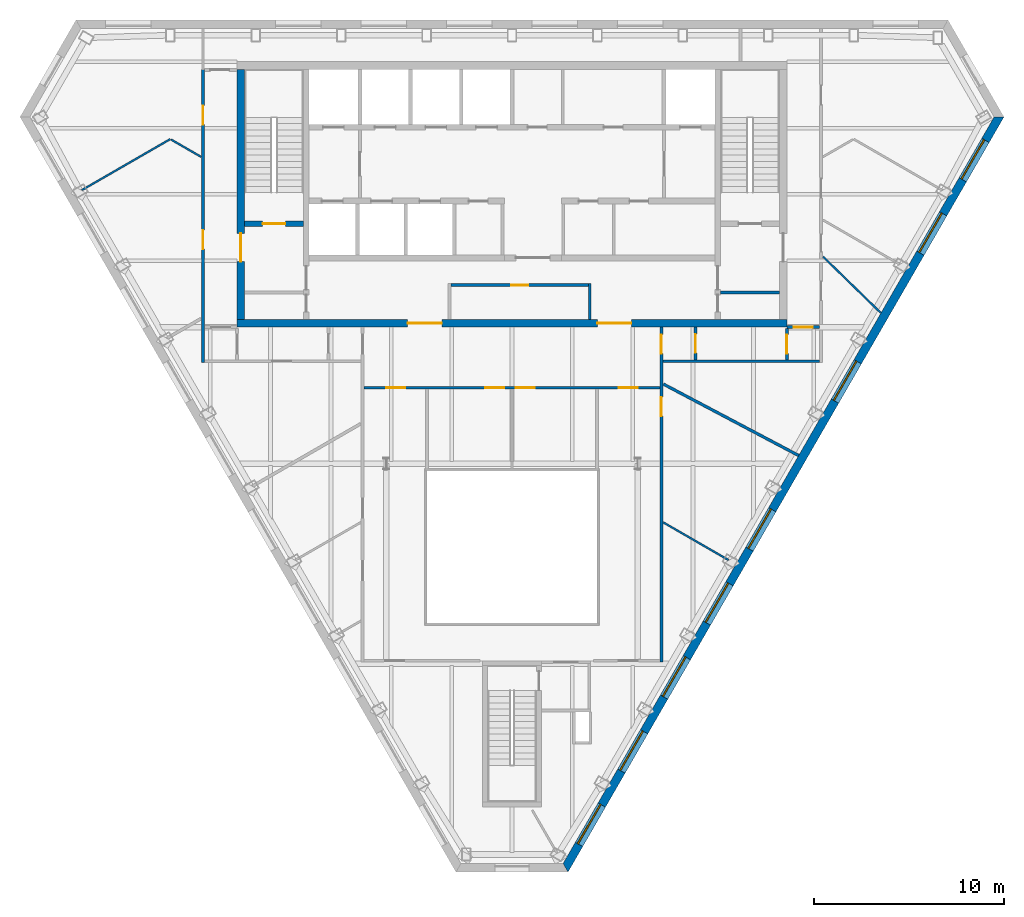
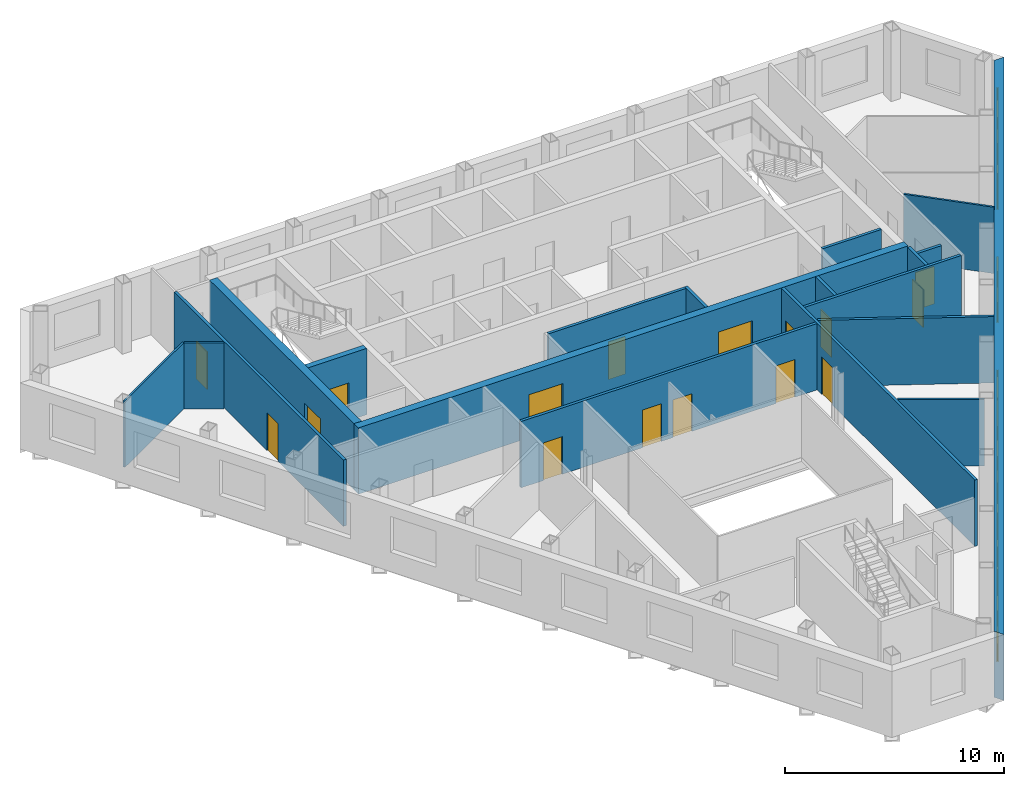
# One storey, part 5 of 10: 19 walls, 16 doors, 8 windows, 24 openings.
"""IFC4 building model written with IfcOpenShell, lengths in metres."""

from ifc_helpers import new_model, si_unit, direction, frame, frame_2d, origin, place, context, subcontext, project, spatial, polyline, rectangle, outline, extrude, material, layer, layer_set, type_object, element, fill, save


model = new_model("IFC4")

# Units and contexts
model_context = context("Model", 3, precision=1e-05, world=origin(), true_north=direction((0.0, 1.0)))
body_context = subcontext(model_context, "Body", "Model", "MODEL_VIEW")
ifc_project = project(units=[si_unit("LENGTHUNIT", "METRE"), si_unit("AREAUNIT", "SQUARE_METRE"), si_unit("VOLUMEUNIT", "CUBIC_METRE"), si_unit("PLANEANGLEUNIT", "RADIAN"), si_unit("MASSUNIT", "GRAM", prefix="KILO")], contexts=[model_context])

# Site, building, storey
site_placement = place(None, origin())
site = spatial("IfcSite", under=ifc_project, at=site_placement, CompositionType="ELEMENT")
building_placement = place(site_placement, origin())
building = spatial("IfcBuilding", under=site, at=building_placement, Name="Njiva Tower", CompositionType="ELEMENT")
storey_placement = place(building_placement, frame((0.0, 0.0, 257.1)))
storey = spatial("IfcBuildingStorey", under=building, at=storey_placement, Name="L58", CompositionType="ELEMENT", Elevation=257.1)

# Walls
ifc_material_1 = material(Name="Blockwork", Category="masonry")
ifc_layer_1 = layer(ifc_material_1, 0.15)
ifc_layer_set_1 = layer_set([ifc_layer_1], Name="Blockwork")
wall_type_1 = type_object("IfcWallType", Name="WT1 Compartment partition 150", PredefinedType="PARTITIONING", material=ifc_layer_set_1)
wall_1_placement = place(storey_placement, frame((11.0, 5.825, 0.0), z_axis=(0.0, 0.0, 1.0), x_axis=(1.0, 0.0, 0.0)))
element("IfcWall", 1, at=wall_1_placement, inside=storey, type_object=wall_type_1, Name="Room wall B", PredefinedType="PARTITIONING", context=body_context, shape_type="SweptSolid", body=[
    extrude(rectangle(XDim=3.1, YDim=0.15, at=frame_2d((1.55, 0.0))), origin(), (0.0, 0.0, 1.0), 3.7),
])
wall_2_placement = place(storey_placement, frame((4.1, 4.4, 0.0), z_axis=(0.0, 0.0, 1.0), x_axis=(0.0, 1.0, 0.0)))
element("IfcWall", 2, at=wall_2_placement, inside=storey, type_object=wall_type_1, Name="Concierge office wall east", PredefinedType="PARTITIONING", context=body_context, shape_type="SweptSolid", body=[
    extrude(rectangle(XDim=1.895, YDim=0.15, at=frame_2d((0.9475, 0.0))), origin(), (0.0, 0.0, 1.0), 3.7),
])

# Wall, opening, door
wall_3_placement = place(storey_placement, frame((-3.225, 6.22, 0.0), z_axis=(0.0, 0.0, 1.0), x_axis=(1.0, 0.0, 0.0)))
wall_3 = element("IfcWall", 3, at=wall_3_placement, inside=storey, type_object=wall_type_1, Name="Concierge office wall north", PredefinedType="PARTITIONING", context=body_context, shape_type="SweptSolid", body=[
    extrude(rectangle(XDim=7.25, YDim=0.15, at=frame_2d((3.625, 0.0))), origin(), (0.0, 0.0, 1.0), 3.7),
])
opening_1_placement = place(wall_3_placement, frame((3.175, 0.0, 0.0)))
opening_1 = element("IfcOpeningElement", 4, at=opening_1_placement, cuts=wall_3, Name="Opening S19-D924", PredefinedType="OPENING", context=body_context, shape_type="SweptSolid", body=[
    extrude(rectangle(XDim=0.9, YDim=2.1, at=frame_2d((0.45, 1.05))), frame((0.0, 0.085, 0.0), z_axis=(0.0, -1.0, 0.0), x_axis=(1.0, 0.0, 0.0)), (0.0, 0.0, 1.0), 0.17),
])
ifc_material_2 = material(Name="Steel fire door, painted", Category="steel")
door_type_1 = type_object("IfcDoorType", Name="D6 Fire-rated door 900x2100", OperationType="SINGLE_SWING_LEFT", PredefinedType="DOOR", material=ifc_material_2)
door_1_placement = place(opening_1_placement, origin())
door_1 = element("IfcDoor", 5, at=door_1_placement, inside=storey, type_object=door_type_1, Name="Concierge office door", OperationType="SINGLE_SWING_LEFT", OverallHeight=2.1, OverallWidth=0.9, PredefinedType="DOOR", context=body_context, shape_type="SweptSolid", body=[
    extrude(rectangle(XDim=0.9, YDim=2.1, at=frame_2d((0.45, 1.05))), frame((0.0, 0.025, 0.0), z_axis=(0.0, -1.0, 0.0), x_axis=(1.0, 0.0, 0.0)), (0.0, 0.0, 1.0), 0.05),
])
fill(opening_1, door_1)

ifc_material_3 = material(Name="Concrete C40/50", Category="concrete")
ifc_layer_2 = layer(ifc_material_3, 0.3)
ifc_layer_set_2 = layer_set([ifc_layer_2], Name="Concrete C40/50")
wall_type_2 = type_object("IfcWallType", Name="WT10 Stair enclosure wall 300", PredefinedType="SHEAR", material=ifc_layer_set_2)
wall_4_placement = place(storey_placement, frame((-14.1, 9.45, 0.0), z_axis=(0.0, 0.0, 1.0), x_axis=(1.0, 0.0, 0.0)))
wall_4 = element("IfcWall", 6, at=wall_4_placement, inside=storey, type_object=wall_type_2, Name="Stair A south wall", PredefinedType="SHEAR", context=body_context, shape_type="SweptSolid", body=[
    extrude(rectangle(XDim=3.1, YDim=0.3, at=frame_2d((1.55, 0.0))), origin(), (0.0, 0.0, 1.0), 3.7),
])
opening_2_placement = place(wall_4_placement, frame((0.95, 0.0, 0.0)))
opening_2 = element("IfcOpeningElement", 7, at=opening_2_placement, cuts=wall_4, Name="Opening S19-D915", PredefinedType="OPENING", context=body_context, shape_type="SweptSolid", body=[
    extrude(rectangle(XDim=1.2, YDim=2.1, at=frame_2d((0.6, 1.05))), frame((0.0, 0.16, 0.0), z_axis=(0.0, -1.0, 0.0), x_axis=(1.0, 0.0, 0.0)), (0.0, 0.0, 1.0), 0.32),
])
ifc_material_4 = material(Name="Glazed steel fire door", Category="steel")
door_type_2 = type_object("IfcDoorType", Name="D7 Stair vestibule door 1200x2100 glazed", OperationType="SINGLE_SWING_LEFT", PredefinedType="DOOR", material=ifc_material_4)
door_2_placement = place(opening_2_placement, origin())
door_2 = element("IfcDoor", 8, at=door_2_placement, inside=storey, type_object=door_type_2, Name="Stair A door", OperationType="SINGLE_SWING_LEFT", OverallHeight=2.1, OverallWidth=1.2, PredefinedType="DOOR", context=body_context, shape_type="SweptSolid", body=[
    extrude(rectangle(XDim=1.2, YDim=2.1, at=frame_2d((0.6, 1.05))), frame((0.0, 0.025, 0.0), z_axis=(0.0, -1.0, 0.0), x_axis=(1.0, 0.0, 0.0)), (0.0, 0.0, 1.0), 0.05),
])
fill(opening_2, door_2)

# Wall, openings, doors
ifc_material_5 = material(Name="Concrete C60/75", Category="concrete")
ifc_layer_3 = layer(ifc_material_5, 0.4)
ifc_layer_set_3 = layer_set([ifc_layer_3], Name="Concrete C60/75")
wall_type_3 = type_object("IfcWallType", Name="WT11 Core wall 400", PredefinedType="SHEAR", material=ifc_layer_set_3)
wall_5_placement = place(storey_placement, frame((-14.5, 4.2, 0.0), z_axis=(0.0, 0.0, 1.0), x_axis=(1.0, 0.0, 0.0)))
wall_5 = element("IfcWall", 9, at=wall_5_placement, inside=storey, type_object=wall_type_3, Name="Core wall south", PredefinedType="SHEAR", context=body_context, shape_type="SweptSolid", body=[
    extrude(rectangle(XDim=29.0, YDim=0.4, at=frame_2d((14.5, 0.0))), origin(), (0.0, 0.0, 1.0), 3.7),
])
opening_3_placement = place(wall_5_placement, frame((9.0, 0.0, 0.0)))
opening_3 = element("IfcOpeningElement", 10, at=opening_3_placement, cuts=wall_5, Name="Opening S19-D926", PredefinedType="OPENING", context=body_context, shape_type="SweptSolid", body=[
    extrude(rectangle(XDim=1.8, YDim=2.4, at=frame_2d((0.9, 1.2))), frame((0.0, 0.21, 0.0), z_axis=(0.0, -1.0, 0.0), x_axis=(1.0, 0.0, 0.0)), (0.0, 0.0, 1.0), 0.42),
])
opening_4_placement = place(wall_5_placement, frame((19.0, 0.0, 0.0)))
opening_4 = element("IfcOpeningElement", 11, at=opening_4_placement, cuts=wall_5, Name="Opening S19-D927", PredefinedType="OPENING", context=body_context, shape_type="SweptSolid", body=[
    extrude(rectangle(XDim=1.8, YDim=2.4, at=frame_2d((0.9, 1.2))), frame((0.0, 0.21, 0.0), z_axis=(0.0, -1.0, 0.0), x_axis=(1.0, 0.0, 0.0)), (0.0, 0.0, 1.0), 0.42),
])
ifc_material_6 = material(Name="Steel and glass door", Category="steel")
door_type_3 = type_object("IfcDoorType", Name="D3 Core entrance door 1800x2400", OperationType="DOUBLE_DOOR_SINGLE_SWING", PredefinedType="DOOR", material=ifc_material_6)
door_3_placement = place(opening_3_placement, origin())
door_3 = element("IfcDoor", 12, at=door_3_placement, inside=storey, type_object=door_type_3, Name="Core entrance door", OperationType="DOUBLE_DOOR_SINGLE_SWING", OverallHeight=2.4, OverallWidth=1.8, PredefinedType="DOOR", context=body_context, shape_type="SweptSolid", body=[
    extrude(rectangle(XDim=1.8, YDim=2.4, at=frame_2d((0.9, 1.2))), frame((0.0, 0.025, 0.0), z_axis=(0.0, -1.0, 0.0), x_axis=(1.0, 0.0, 0.0)), (0.0, 0.0, 1.0), 0.05),
])
fill(opening_3, door_3)
door_4_placement = place(opening_4_placement, origin())
door_4 = element("IfcDoor", 13, at=door_4_placement, inside=storey, type_object=door_type_3, Name="Core entrance door", OperationType="DOUBLE_DOOR_SINGLE_SWING", OverallHeight=2.4, OverallWidth=1.8, PredefinedType="DOOR", context=body_context, shape_type="SweptSolid", body=[
    extrude(rectangle(XDim=1.8, YDim=2.4, at=frame_2d((0.9, 1.2))), frame((0.0, 0.025, 0.0), z_axis=(0.0, -1.0, 0.0), x_axis=(1.0, 0.0, 0.0)), (0.0, 0.0, 1.0), 0.05),
])
fill(opening_4, door_4)

# Wall, opening, door
wall_6_placement = place(storey_placement, frame((-14.3, 4.4, 0.0), z_axis=(0.0, 0.0, 1.0), x_axis=(0.0, 1.0, 0.0)))
wall_6 = element("IfcWall", 14, at=wall_6_placement, inside=storey, type_object=wall_type_3, Name="Core wall west", PredefinedType="SHEAR", context=body_context, shape_type="SweptSolid", body=[
    extrude(rectangle(XDim=13.2, YDim=0.4, at=frame_2d((6.6, 0.0))), origin(), (0.0, 0.0, 1.0), 3.7),
])
opening_5_placement = place(wall_6_placement, frame((3.05, 0.0, 0.0)))
opening_5 = element("IfcOpeningElement", 15, at=opening_5_placement, cuts=wall_6, Name="Opening S19-D917", PredefinedType="OPENING", context=body_context, shape_type="SweptSolid", body=[
    extrude(rectangle(XDim=1.5, YDim=2.1, at=frame_2d((0.75, 1.05))), frame((0.0, 0.21, 0.0), z_axis=(0.0, -1.0, 0.0), x_axis=(1.0, 0.0, 0.0)), (0.0, 0.0, 1.0), 0.42),
])
door_type_4 = type_object("IfcDoorType", Name="D10 Exit door double 1500x2100 glazed", OperationType="DOUBLE_DOOR_SINGLE_SWING", PredefinedType="DOOR", material=ifc_material_4)
door_5_placement = place(opening_5_placement, origin())
door_5 = element("IfcDoor", 16, at=door_5_placement, inside=storey, type_object=door_type_4, Name="Stair A corridor door", OperationType="DOUBLE_DOOR_SINGLE_SWING", OverallHeight=2.1, OverallWidth=1.5, PredefinedType="DOOR", context=body_context, shape_type="SweptSolid", body=[
    extrude(rectangle(XDim=1.5, YDim=2.1, at=frame_2d((0.75, 1.05))), frame((0.0, 0.025, 0.0), z_axis=(0.0, -1.0, 0.0), x_axis=(1.0, 0.0, 0.0)), (0.0, 0.0, 1.0), 0.05),
])
fill(opening_5, door_5)

# Walls
ifc_material_7 = material(Name="Gypsum board on steel studs", Category="gypsum")
ifc_layer_4 = layer(ifc_material_7, 0.1)
ifc_layer_set_4 = layer_set([ifc_layer_4], Name="Gypsum board on steel studs")
wall_type_4 = type_object("IfcWallType", Name="WT20 Gypsum partition 100", PredefinedType="PARTITIONING", material=ifc_layer_set_4)
wall_7_placement = place(storey_placement, frame((-22.687, 11.23, 0.0), z_axis=(0.0, 0.0, 1.0), x_axis=(0.866188679886, 0.499717090799, 0.0)))
element("IfcWall", 17, at=wall_7_placement, inside=storey, type_object=wall_type_4, Name="Partition S19-P001", PredefinedType="PARTITIONING", context=body_context, shape_type="SweptSolid", body=[
    extrude(rectangle(XDim=5.381, YDim=0.1, at=frame_2d((2.6905, 0.0))), origin(), (0.0, 0.0, 1.0), 3.7),
])
wall_8_placement = place(storey_placement, frame((-17.988, 13.898, 0.0), z_axis=(0.0, 0.0, 1.0), x_axis=(0.866221908719, -0.499659488908, 0.0)))
element("IfcWall", 18, at=wall_8_placement, inside=storey, type_object=wall_type_4, Name="Partition S19-P003", PredefinedType="PARTITIONING", context=body_context, shape_type="SweptSolid", body=[
    extrude(rectangle(XDim=1.8332, YDim=0.1, at=frame_2d((0.9166, 0.0))), origin(), (0.0, 0.0, 1.0), 3.7),
])
wall_9_placement = place(storey_placement, frame((7.98, -6.3, 0.0), z_axis=(0.0, 0.0, 1.0), x_axis=(0.866143665252, -0.499795109164, 0.0)))
element("IfcWall", 19, at=wall_9_placement, inside=storey, type_object=wall_type_4, Name="Partition S19-P024", PredefinedType="PARTITIONING", context=body_context, shape_type="SweptSolid", body=[
    extrude(rectangle(XDim=3.9716, YDim=0.1, at=frame_2d((1.9858, 0.0))), origin(), (0.0, 0.0, 1.0), 3.7),
])
wall_10_placement = place(storey_placement, frame((16.41, 7.717, 0.0), z_axis=(0.0, 0.0, 1.0), x_axis=(0.716434135664, -0.697654734991, 0.0)))
element("IfcWall", 20, at=wall_10_placement, inside=storey, type_object=wall_type_4, Name="Partition S19-P033", PredefinedType="PARTITIONING", context=body_context, shape_type="SweptSolid", body=[
    extrude(rectangle(XDim=4.26, YDim=0.1, at=frame_2d((2.13, 0.0))), origin(), (0.0, 0.0, 1.0), 3.7),
])

# Wall, openings, doors
ifc_layer_5 = layer(ifc_material_7, 0.15)
ifc_layer_set_5 = layer_set([ifc_layer_5], Name="Gypsum board on steel studs")
wall_type_5 = type_object("IfcWallType", Name="WT21 Compartment wall 150", PredefinedType="PARTITIONING", material=ifc_layer_set_5)
wall_11_placement = place(storey_placement, frame((-16.3, 2.125, 0.0), z_axis=(0.0, 0.0, 1.0), x_axis=(0.0, 1.0, 0.0)))
wall_11 = element("IfcWall", 21, at=wall_11_placement, inside=storey, type_object=wall_type_5, Name="Partition S19-P004", PredefinedType="PARTITIONING", context=body_context, shape_type="SweptSolid", body=[
    extrude(rectangle(XDim=15.459, YDim=0.15, at=frame_2d((7.7295, 0.0))), origin(), (0.0, 0.0, 1.0), 3.7),
])
opening_6_placement = place(wall_11_placement, frame((5.99, 0.0, 0.0)))
opening_6 = element("IfcOpeningElement", 22, at=opening_6_placement, cuts=wall_11, Name="Opening S19-D001", PredefinedType="OPENING", context=body_context, shape_type="SweptSolid", body=[
    extrude(rectangle(XDim=1.0, YDim=2.1, at=frame_2d((0.5, 1.05))), frame((0.0, 0.085, 0.0), z_axis=(0.0, -1.0, 0.0), x_axis=(1.0, 0.0, 0.0)), (0.0, 0.0, 1.0), 0.17),
])
opening_7_placement = place(wall_11_placement, frame((12.554, 0.0, 0.0)))
opening_7 = element("IfcOpeningElement", 23, at=opening_7_placement, cuts=wall_11, Name="Opening S19-D002", PredefinedType="OPENING", context=body_context, shape_type="SweptSolid", body=[
    extrude(rectangle(XDim=1.0, YDim=2.1, at=frame_2d((0.5, 1.05))), frame((0.0, 0.085, 0.0), z_axis=(0.0, -1.0, 0.0), x_axis=(1.0, 0.0, 0.0)), (0.0, 0.0, 1.0), 0.17),
])
ifc_material_8 = material(Name="Steel fire door set", Category="steel")
door_type_5 = type_object("IfcDoorType", Name="D37 Fire door 1000x2100", OperationType="SINGLE_SWING_LEFT", PredefinedType="DOOR", material=ifc_material_8)
door_6_placement = place(opening_6_placement, origin())
door_6 = element("IfcDoor", 24, at=door_6_placement, inside=storey, type_object=door_type_5, Name="Door S19-D001", OperationType="SINGLE_SWING_RIGHT", OverallHeight=2.1, OverallWidth=1.0, PredefinedType="DOOR", context=body_context, shape_type="SweptSolid", body=[
    extrude(rectangle(XDim=1.0, YDim=2.1, at=frame_2d((0.5, 1.05))), frame((0.0, 0.025, 0.0), z_axis=(0.0, -1.0, 0.0), x_axis=(1.0, 0.0, 0.0)), (0.0, 0.0, 1.0), 0.05),
])
fill(opening_6, door_6)
door_7_placement = place(opening_7_placement, origin())
door_7 = element("IfcDoor", 25, at=door_7_placement, inside=storey, type_object=door_type_5, Name="Door S19-D002", OperationType="SINGLE_SWING_LEFT", OverallHeight=2.1, OverallWidth=1.0, PredefinedType="DOOR", context=body_context, shape_type="SweptSolid", body=[
    extrude(rectangle(XDim=1.0, YDim=2.1, at=frame_2d((0.5, 1.05))), frame((0.0, 0.025, 0.0), z_axis=(0.0, -1.0, 0.0), x_axis=(1.0, 0.0, 0.0)), (0.0, 0.0, 1.0), 0.05),
])
fill(opening_7, door_7)

wall_12_placement = place(storey_placement, frame((-7.805, 0.8, 0.0), z_axis=(0.0, 0.0, 1.0), x_axis=(1.0, 0.0, 0.0)))
wall_12 = element("IfcWall", 26, at=wall_12_placement, inside=storey, type_object=wall_type_5, Name="Partition S19-P016", PredefinedType="PARTITIONING", context=body_context, shape_type="SweptSolid", body=[
    extrude(rectangle(XDim=15.61, YDim=0.15, at=frame_2d((7.805, 0.0))), origin(), (0.0, 0.0, 1.0), 3.7),
])
opening_8_placement = place(wall_12_placement, frame((1.168, 0.0, 0.0)))
opening_8 = element("IfcOpeningElement", 27, at=opening_8_placement, cuts=wall_12, Name="Opening S19-D012", PredefinedType="OPENING", context=body_context, shape_type="SweptSolid", body=[
    extrude(rectangle(XDim=1.0, YDim=2.1, at=frame_2d((0.5, 1.05))), frame((0.0, 0.085, 0.0), z_axis=(0.0, -1.0, 0.0), x_axis=(1.0, 0.0, 0.0)), (0.0, 0.0, 1.0), 0.17),
])
opening_9_placement = place(wall_12_placement, frame((6.399, 0.0, 0.0)))
opening_9 = element("IfcOpeningElement", 28, at=opening_9_placement, cuts=wall_12, Name="Opening S19-D013", PredefinedType="OPENING", context=body_context, shape_type="SweptSolid", body=[
    extrude(rectangle(XDim=1.0, YDim=2.1, at=frame_2d((0.5, 1.05))), frame((0.0, 0.085, 0.0), z_axis=(0.0, -1.0, 0.0), x_axis=(1.0, 0.0, 0.0)), (0.0, 0.0, 1.0), 0.17),
])
opening_10_placement = place(wall_12_placement, frame((8.006, 0.0, 0.0)))
opening_10 = element("IfcOpeningElement", 29, at=opening_10_placement, cuts=wall_12, Name="Opening S19-D014", PredefinedType="OPENING", context=body_context, shape_type="SweptSolid", body=[
    extrude(rectangle(XDim=1.0, YDim=2.1, at=frame_2d((0.5, 1.05))), frame((0.0, 0.085, 0.0), z_axis=(0.0, -1.0, 0.0), x_axis=(1.0, 0.0, 0.0)), (0.0, 0.0, 1.0), 0.17),
])
opening_11_placement = place(wall_12_placement, frame((13.441, 0.0, 0.0)))
opening_11 = element("IfcOpeningElement", 30, at=opening_11_placement, cuts=wall_12, Name="Opening S19-D015", PredefinedType="OPENING", context=body_context, shape_type="SweptSolid", body=[
    extrude(rectangle(XDim=1.0, YDim=2.1, at=frame_2d((0.5, 1.05))), frame((0.0, 0.085, 0.0), z_axis=(0.0, -1.0, 0.0), x_axis=(1.0, 0.0, 0.0)), (0.0, 0.0, 1.0), 0.17),
])
door_8_placement = place(opening_8_placement, origin())
door_8 = element("IfcDoor", 31, at=door_8_placement, inside=storey, type_object=door_type_5, Name="Door S19-D012", OperationType="SINGLE_SWING_RIGHT", OverallHeight=2.1, OverallWidth=1.0, PredefinedType="DOOR", context=body_context, shape_type="SweptSolid", body=[
    extrude(rectangle(XDim=1.0, YDim=2.1, at=frame_2d((0.5, 1.05))), frame((0.0, 0.025, 0.0), z_axis=(0.0, -1.0, 0.0), x_axis=(1.0, 0.0, 0.0)), (0.0, 0.0, 1.0), 0.05),
])
fill(opening_8, door_8)
door_9_placement = place(opening_9_placement, origin())
door_9 = element("IfcDoor", 32, at=door_9_placement, inside=storey, type_object=door_type_5, Name="Door S19-D013", OperationType="SINGLE_SWING_LEFT", OverallHeight=2.1, OverallWidth=1.0, PredefinedType="DOOR", context=body_context, shape_type="SweptSolid", body=[
    extrude(rectangle(XDim=1.0, YDim=2.1, at=frame_2d((0.5, 1.05))), frame((0.0, 0.025, 0.0), z_axis=(0.0, -1.0, 0.0), x_axis=(1.0, 0.0, 0.0)), (0.0, 0.0, 1.0), 0.05),
])
fill(opening_9, door_9)
door_10_placement = place(opening_10_placement, origin())
door_10 = element("IfcDoor", 33, at=door_10_placement, inside=storey, type_object=door_type_5, Name="Door S19-D014", OperationType="SINGLE_SWING_RIGHT", OverallHeight=2.1, OverallWidth=1.0, PredefinedType="DOOR", context=body_context, shape_type="SweptSolid", body=[
    extrude(rectangle(XDim=1.0, YDim=2.1, at=frame_2d((0.5, 1.05))), frame((0.0, 0.025, 0.0), z_axis=(0.0, -1.0, 0.0), x_axis=(1.0, 0.0, 0.0)), (0.0, 0.0, 1.0), 0.05),
])
fill(opening_10, door_10)
door_11_placement = place(opening_11_placement, origin())
door_11 = element("IfcDoor", 34, at=door_11_placement, inside=storey, type_object=door_type_5, Name="Door S19-D015", OperationType="SINGLE_SWING_LEFT", OverallHeight=2.1, OverallWidth=1.0, PredefinedType="DOOR", context=body_context, shape_type="SweptSolid", body=[
    extrude(rectangle(XDim=1.0, YDim=2.1, at=frame_2d((0.5, 1.05))), frame((0.0, 0.025, 0.0), z_axis=(0.0, -1.0, 0.0), x_axis=(1.0, 0.0, 0.0)), (0.0, 0.0, 1.0), 0.05),
])
fill(opening_11, door_11)

wall_13_placement = place(storey_placement, frame((7.88, -13.675, 0.0), z_axis=(0.0, 0.0, 1.0), x_axis=(0.0, 1.0, 0.0)))
wall_13 = element("IfcWall", 35, at=wall_13_placement, inside=storey, type_object=wall_type_5, Name="Partition S19-P022", PredefinedType="PARTITIONING", context=body_context, shape_type="SweptSolid", body=[
    extrude(rectangle(XDim=17.675, YDim=0.15, at=frame_2d((8.8375, 0.0))), origin(), (0.0, 0.0, 1.0), 3.7),
])
opening_12_placement = place(wall_13_placement, frame((12.984, 0.0, 0.0)))
opening_12 = element("IfcOpeningElement", 36, at=opening_12_placement, cuts=wall_13, Name="Opening S19-D017", PredefinedType="OPENING", context=body_context, shape_type="SweptSolid", body=[
    extrude(rectangle(XDim=1.0, YDim=2.1, at=frame_2d((0.5, 1.05))), frame((0.0, 0.085, 0.0), z_axis=(0.0, -1.0, 0.0), x_axis=(1.0, 0.0, 0.0)), (0.0, 0.0, 1.0), 0.17),
])
opening_13_placement = place(wall_13_placement, frame((16.275, 0.0, 0.0)))
opening_13 = element("IfcOpeningElement", 37, at=opening_13_placement, cuts=wall_13, Name="Opening S19-D018", PredefinedType="OPENING", context=body_context, shape_type="SweptSolid", body=[
    extrude(rectangle(XDim=1.0, YDim=2.1, at=frame_2d((0.5, 1.05))), frame((0.0, 0.085, 0.0), z_axis=(0.0, -1.0, 0.0), x_axis=(1.0, 0.0, 0.0)), (0.0, 0.0, 1.0), 0.17),
])
door_12_placement = place(opening_12_placement, origin())
door_12 = element("IfcDoor", 38, at=door_12_placement, inside=storey, type_object=door_type_5, Name="Door S19-D017", OperationType="SINGLE_SWING_RIGHT", OverallHeight=2.1, OverallWidth=1.0, PredefinedType="DOOR", context=body_context, shape_type="SweptSolid", body=[
    extrude(rectangle(XDim=1.0, YDim=2.1, at=frame_2d((0.5, 1.05))), frame((0.0, 0.025, 0.0), z_axis=(0.0, -1.0, 0.0), x_axis=(1.0, 0.0, 0.0)), (0.0, 0.0, 1.0), 0.05),
])
fill(opening_12, door_12)
door_13_placement = place(opening_13_placement, origin())
door_13 = element("IfcDoor", 39, at=door_13_placement, inside=storey, type_object=door_type_5, Name="Door S19-D018", OperationType="SINGLE_SWING_RIGHT", OverallHeight=2.1, OverallWidth=1.0, PredefinedType="DOOR", context=body_context, shape_type="SweptSolid", body=[
    extrude(rectangle(XDim=1.0, YDim=2.1, at=frame_2d((0.5, 1.05))), frame((0.0, 0.025, 0.0), z_axis=(0.0, -1.0, 0.0), x_axis=(1.0, 0.0, 0.0)), (0.0, 0.0, 1.0), 0.05),
])
fill(opening_13, door_13)

# Walls
wall_14_placement = place(storey_placement, frame((7.955, 2.2, 0.0), z_axis=(0.0, 0.0, 1.0), x_axis=(1.0, 0.0, 0.0)))
element("IfcWall", 40, at=wall_14_placement, inside=storey, type_object=wall_type_5, Name="Partition S19-P023", PredefinedType="PARTITIONING", context=body_context, shape_type="SweptSolid", body=[
    extrude(rectangle(XDim=8.27, YDim=0.15, at=frame_2d((4.135, 0.0))), origin(), (0.0, 0.0, 1.0), 3.7),
])
wall_15_placement = place(storey_placement, frame((7.99, 0.994, 0.0), z_axis=(0.0, 0.0, 1.0), x_axis=(0.88420981039, -0.467089939102, 0.0)))
element("IfcWall", 41, at=wall_15_placement, inside=storey, type_object=wall_type_5, Name="Partition S19-P025", PredefinedType="PARTITIONING", context=body_context, shape_type="SweptSolid", body=[
    extrude(rectangle(XDim=8.0648, YDim=0.15, at=frame_2d((4.0324, 0.0))), origin(), (0.0, 0.0, 1.0), 3.7),
])

# Wall, opening, door
wall_16_placement = place(storey_placement, frame((9.68, 2.275, 0.0), z_axis=(0.0, 0.0, 1.0), x_axis=(0.0, 1.0, 0.0)))
wall_16 = element("IfcWall", 42, at=wall_16_placement, inside=storey, type_object=wall_type_5, Name="Partition S19-P026", PredefinedType="PARTITIONING", context=body_context, shape_type="SweptSolid", body=[
    extrude(rectangle(XDim=1.725, YDim=0.15, at=frame_2d((0.8625, 0.0))), origin(), (0.0, 0.0, 1.0), 3.7),
])
opening_14_placement = place(wall_16_placement, frame((0.362, 0.0, 0.0)))
opening_14 = element("IfcOpeningElement", 43, at=opening_14_placement, cuts=wall_16, Name="Opening S19-D019", PredefinedType="OPENING", context=body_context, shape_type="SweptSolid", body=[
    extrude(rectangle(XDim=1.0, YDim=2.1, at=frame_2d((0.5, 1.05))), frame((0.0, 0.085, 0.0), z_axis=(0.0, -1.0, 0.0), x_axis=(1.0, 0.0, 0.0)), (0.0, 0.0, 1.0), 0.17),
])
door_14_placement = place(opening_14_placement, origin())
door_14 = element("IfcDoor", 44, at=door_14_placement, inside=storey, type_object=door_type_5, Name="Door S19-D019", OperationType="SINGLE_SWING_LEFT", OverallHeight=2.1, OverallWidth=1.0, PredefinedType="DOOR", context=body_context, shape_type="SweptSolid", body=[
    extrude(rectangle(XDim=1.0, YDim=2.1, at=frame_2d((0.5, 1.05))), frame((0.0, 0.025, 0.0), z_axis=(0.0, -1.0, 0.0), x_axis=(1.0, 0.0, 0.0)), (0.0, 0.0, 1.0), 0.05),
])
fill(opening_14, door_14)

wall_17_placement = place(storey_placement, frame((14.5, 2.275, 0.0), z_axis=(0.0, 0.0, 1.0), x_axis=(0.0, 1.0, 0.0)))
wall_17 = element("IfcWall", 45, at=wall_17_placement, inside=storey, type_object=wall_type_5, Name="Partition S19-P028", PredefinedType="PARTITIONING", context=body_context, shape_type="SweptSolid", body=[
    extrude(rectangle(XDim=1.65, YDim=0.15, at=frame_2d((0.825, 0.0))), origin(), (0.0, 0.0, 1.0), 3.7),
])
opening_15_placement = place(wall_17_placement, frame((0.325, 0.0, 0.0)))
opening_15 = element("IfcOpeningElement", 46, at=opening_15_placement, cuts=wall_17, Name="Opening S19-D020", PredefinedType="OPENING", context=body_context, shape_type="SweptSolid", body=[
    extrude(rectangle(XDim=1.0, YDim=2.1, at=frame_2d((0.5, 1.05))), frame((0.0, 0.085, 0.0), z_axis=(0.0, -1.0, 0.0), x_axis=(1.0, 0.0, 0.0)), (0.0, 0.0, 1.0), 0.17),
])
door_15_placement = place(opening_15_placement, origin())
door_15 = element("IfcDoor", 47, at=door_15_placement, inside=storey, type_object=door_type_5, Name="Door S19-D020", OperationType="SINGLE_SWING_LEFT", OverallHeight=2.1, OverallWidth=1.0, PredefinedType="DOOR", context=body_context, shape_type="SweptSolid", body=[
    extrude(rectangle(XDim=1.0, YDim=2.1, at=frame_2d((0.5, 1.05))), frame((0.0, 0.025, 0.0), z_axis=(0.0, -1.0, 0.0), x_axis=(1.0, 0.0, 0.0)), (0.0, 0.0, 1.0), 0.05),
])
fill(opening_15, door_15)

wall_18_placement = place(storey_placement, frame((14.5, 4.0, 0.0), z_axis=(0.0, 0.0, 1.0), x_axis=(1.0, 0.0, 0.0)))
wall_18 = element("IfcWall", 48, at=wall_18_placement, inside=storey, type_object=wall_type_5, Name="Partition S19-P029", PredefinedType="PARTITIONING", context=body_context, shape_type="SweptSolid", body=[
    extrude(rectangle(XDim=1.725, YDim=0.15, at=frame_2d((0.8625, 0.0))), origin(), (0.0, 0.0, 1.0), 3.16),
])
opening_16_placement = place(wall_18_placement, frame((0.363, 0.0, 0.0)))
opening_16 = element("IfcOpeningElement", 49, at=opening_16_placement, cuts=wall_18, Name="Opening S19-D021", PredefinedType="OPENING", context=body_context, shape_type="SweptSolid", body=[
    extrude(rectangle(XDim=1.0, YDim=2.1, at=frame_2d((0.5, 1.05))), frame((0.0, 0.085, 0.0), z_axis=(0.0, -1.0, 0.0), x_axis=(1.0, 0.0, 0.0)), (0.0, 0.0, 1.0), 0.17),
])
door_16_placement = place(opening_16_placement, origin())
door_16 = element("IfcDoor", 50, at=door_16_placement, inside=storey, type_object=door_type_5, Name="Door S19-D021", OperationType="SINGLE_SWING_LEFT", OverallHeight=2.1, OverallWidth=1.0, PredefinedType="DOOR", context=body_context, shape_type="SweptSolid", body=[
    extrude(rectangle(XDim=1.0, YDim=2.1, at=frame_2d((0.5, 1.05))), frame((0.0, 0.025, 0.0), z_axis=(0.0, -1.0, 0.0), x_axis=(1.0, 0.0, 0.0)), (0.0, 0.0, 1.0), 0.05),
])
fill(opening_16, door_16)

# Wall, openings, windows
ifc_material_9 = material(Name="Brick masonry", Category="masonry")
ifc_layer_6 = layer(ifc_material_9, 0.45)
ifc_layer_set_6 = layer_set([ifc_layer_6], Name="Brick masonry")
wall_type_6 = type_object("IfcWallType", Name="WT90 Brick pier and spandrel wall 450", PredefinedType="SOLIDWALL", material=ifc_layer_set_6)
wall_19_placement = place(storey_placement, frame((2.8251, -24.5217, -0.18), z_axis=(0.0, 0.0, 1.0), x_axis=(0.500000141277, 0.866025322218, 0.0)))
wall_19 = element("IfcWall", 51, at=wall_19_placement, inside=storey, type_object=wall_type_6, Name="Facade wall SE", PredefinedType="SOLIDWALL", context=body_context, shape_type="SweptSolid", body=[
    extrude(outline(polyline([(-0.1299, -0.225), (45.8601, -0.225), (45.6003, 0.225), (0.1299, 0.225), (-0.1299, -0.225)])), origin(), (0.0, 0.0, 1.0), 3.68),
])
opening_17_placement = place(wall_19_placement, frame((1.4237, 0.0, 1.08)))
opening_17 = element("IfcOpeningElement", 52, at=opening_17_placement, cuts=wall_19, Name="Opening S19-W20", PredefinedType="OPENING", context=body_context, shape_type="SweptSolid", body=[
    extrude(rectangle(XDim=2.4, YDim=2.0, at=frame_2d((1.2, 1.0))), frame((0.0, 0.235, 0.0), z_axis=(0.0, -1.0, 0.0), x_axis=(1.0, 0.0, 0.0)), (0.0, 0.0, 1.0), 0.47),
])
opening_18_placement = place(wall_19_placement, frame((5.8919, 0.0, 1.08)))
opening_18 = element("IfcOpeningElement", 53, at=opening_18_placement, cuts=wall_19, Name="Opening S19-W21", PredefinedType="OPENING", context=body_context, shape_type="SweptSolid", body=[
    extrude(rectangle(XDim=2.4, YDim=2.0, at=frame_2d((1.2, 1.0))), frame((0.0, 0.235, 0.0), z_axis=(0.0, -1.0, 0.0), x_axis=(1.0, 0.0, 0.0)), (0.0, 0.0, 1.0), 0.47),
])
opening_19_placement = place(wall_19_placement, frame((10.3985, 0.0, 1.08)))
opening_19 = element("IfcOpeningElement", 54, at=opening_19_placement, cuts=wall_19, Name="Opening S19-W22", PredefinedType="OPENING", context=body_context, shape_type="SweptSolid", body=[
    extrude(rectangle(XDim=2.4, YDim=2.0, at=frame_2d((1.2, 1.0))), frame((0.0, 0.235, 0.0), z_axis=(0.0, -1.0, 0.0), x_axis=(1.0, 0.0, 0.0)), (0.0, 0.0, 1.0), 0.47),
])
opening_20_placement = place(wall_19_placement, frame((14.9052, 0.0, 1.08)))
opening_20 = element("IfcOpeningElement", 55, at=opening_20_placement, cuts=wall_19, Name="Opening S19-W23", PredefinedType="OPENING", context=body_context, shape_type="SweptSolid", body=[
    extrude(rectangle(XDim=2.4, YDim=2.0, at=frame_2d((1.2, 1.0))), frame((0.0, 0.235, 0.0), z_axis=(0.0, -1.0, 0.0), x_axis=(1.0, 0.0, 0.0)), (0.0, 0.0, 1.0), 0.47),
])
opening_21_placement = place(wall_19_placement, frame((19.4118, 0.0, 1.08)))
opening_21 = element("IfcOpeningElement", 56, at=opening_21_placement, cuts=wall_19, Name="Opening S19-W24", PredefinedType="OPENING", context=body_context, shape_type="SweptSolid", body=[
    extrude(rectangle(XDim=2.4, YDim=2.0, at=frame_2d((1.2, 1.0))), frame((0.0, 0.235, 0.0), z_axis=(0.0, -1.0, 0.0), x_axis=(1.0, 0.0, 0.0)), (0.0, 0.0, 1.0), 0.47),
])
opening_22_placement = place(wall_19_placement, frame((28.425, 0.0, 1.08)))
opening_22 = element("IfcOpeningElement", 57, at=opening_22_placement, cuts=wall_19, Name="Opening S19-W25", PredefinedType="OPENING", context=body_context, shape_type="SweptSolid", body=[
    extrude(rectangle(XDim=2.4, YDim=2.0, at=frame_2d((1.2, 1.0))), frame((0.0, 0.235, 0.0), z_axis=(0.0, -1.0, 0.0), x_axis=(1.0, 0.0, 0.0)), (0.0, 0.0, 1.0), 0.47),
])
opening_23_placement = place(wall_19_placement, frame((37.4383, 0.0, 1.08)))
opening_23 = element("IfcOpeningElement", 58, at=opening_23_placement, cuts=wall_19, Name="Opening S19-W26", PredefinedType="OPENING", context=body_context, shape_type="SweptSolid", body=[
    extrude(rectangle(XDim=2.4, YDim=2.0, at=frame_2d((1.2, 1.0))), frame((0.0, 0.235, 0.0), z_axis=(0.0, -1.0, 0.0), x_axis=(1.0, 0.0, 0.0)), (0.0, 0.0, 1.0), 0.47),
])
opening_24_placement = place(wall_19_placement, frame((41.9065, 0.0, 1.08)))
opening_24 = element("IfcOpeningElement", 59, at=opening_24_placement, cuts=wall_19, Name="Opening S19-W27", PredefinedType="OPENING", context=body_context, shape_type="SweptSolid", body=[
    extrude(rectangle(XDim=2.4, YDim=2.0, at=frame_2d((1.2, 1.0))), frame((0.0, 0.235, 0.0), z_axis=(0.0, -1.0, 0.0), x_axis=(1.0, 0.0, 0.0)), (0.0, 0.0, 1.0), 0.47),
])
ifc_material_10 = material(Name="Clear glazing in aluminium frame", Category="aluminium")
window_type = type_object("IfcWindowType", Name="W90 Deep-set window 2400x2000", PartitioningType="SINGLE_PANEL", PredefinedType="WINDOW", material=ifc_material_10)
window_1_placement = place(opening_17_placement, origin())
window_1 = element("IfcWindow", 60, at=window_1_placement, inside=storey, type_object=window_type, Name="Window", OverallHeight=2.0, OverallWidth=2.4, PartitioningType="SINGLE_PANEL", PredefinedType="WINDOW", context=body_context, shape_type="SweptSolid", body=[
    extrude(rectangle(XDim=2.4, YDim=2.0, at=frame_2d((1.2, 1.0))), frame((0.0, 0.105, 0.0), z_axis=(0.0, -1.0, 0.0), x_axis=(1.0, 0.0, 0.0)), (0.0, 0.0, 1.0), 0.06),
])
fill(opening_17, window_1)
window_2_placement = place(opening_18_placement, origin())
window_2 = element("IfcWindow", 61, at=window_2_placement, inside=storey, type_object=window_type, Name="Window", OverallHeight=2.0, OverallWidth=2.4, PartitioningType="SINGLE_PANEL", PredefinedType="WINDOW", context=body_context, shape_type="SweptSolid", body=[
    extrude(rectangle(XDim=2.4, YDim=2.0, at=frame_2d((1.2, 1.0))), frame((0.0, 0.105, 0.0), z_axis=(0.0, -1.0, 0.0), x_axis=(1.0, 0.0, 0.0)), (0.0, 0.0, 1.0), 0.06),
])
fill(opening_18, window_2)
window_3_placement = place(opening_19_placement, origin())
window_3 = element("IfcWindow", 62, at=window_3_placement, inside=storey, type_object=window_type, Name="Window", OverallHeight=2.0, OverallWidth=2.4, PartitioningType="SINGLE_PANEL", PredefinedType="WINDOW", context=body_context, shape_type="SweptSolid", body=[
    extrude(rectangle(XDim=2.4, YDim=2.0, at=frame_2d((1.2, 1.0))), frame((0.0, 0.105, 0.0), z_axis=(0.0, -1.0, 0.0), x_axis=(1.0, 0.0, 0.0)), (0.0, 0.0, 1.0), 0.06),
])
fill(opening_19, window_3)
window_4_placement = place(opening_20_placement, origin())
window_4 = element("IfcWindow", 63, at=window_4_placement, inside=storey, type_object=window_type, Name="Window", OverallHeight=2.0, OverallWidth=2.4, PartitioningType="SINGLE_PANEL", PredefinedType="WINDOW", context=body_context, shape_type="SweptSolid", body=[
    extrude(rectangle(XDim=2.4, YDim=2.0, at=frame_2d((1.2, 1.0))), frame((0.0, 0.105, 0.0), z_axis=(0.0, -1.0, 0.0), x_axis=(1.0, 0.0, 0.0)), (0.0, 0.0, 1.0), 0.06),
])
fill(opening_20, window_4)
window_5_placement = place(opening_21_placement, origin())
window_5 = element("IfcWindow", 64, at=window_5_placement, inside=storey, type_object=window_type, Name="Window", OverallHeight=2.0, OverallWidth=2.4, PartitioningType="SINGLE_PANEL", PredefinedType="WINDOW", context=body_context, shape_type="SweptSolid", body=[
    extrude(rectangle(XDim=2.4, YDim=2.0, at=frame_2d((1.2, 1.0))), frame((0.0, 0.105, 0.0), z_axis=(0.0, -1.0, 0.0), x_axis=(1.0, 0.0, 0.0)), (0.0, 0.0, 1.0), 0.06),
])
fill(opening_21, window_5)
window_6_placement = place(opening_22_placement, origin())
window_6 = element("IfcWindow", 65, at=window_6_placement, inside=storey, type_object=window_type, Name="Window", OverallHeight=2.0, OverallWidth=2.4, PartitioningType="SINGLE_PANEL", PredefinedType="WINDOW", context=body_context, shape_type="SweptSolid", body=[
    extrude(rectangle(XDim=2.4, YDim=2.0, at=frame_2d((1.2, 1.0))), frame((0.0, 0.105, 0.0), z_axis=(0.0, -1.0, 0.0), x_axis=(1.0, 0.0, 0.0)), (0.0, 0.0, 1.0), 0.06),
])
fill(opening_22, window_6)
window_7_placement = place(opening_23_placement, origin())
window_7 = element("IfcWindow", 66, at=window_7_placement, inside=storey, type_object=window_type, Name="Window", OverallHeight=2.0, OverallWidth=2.4, PartitioningType="SINGLE_PANEL", PredefinedType="WINDOW", context=body_context, shape_type="SweptSolid", body=[
    extrude(rectangle(XDim=2.4, YDim=2.0, at=frame_2d((1.2, 1.0))), frame((0.0, 0.105, 0.0), z_axis=(0.0, -1.0, 0.0), x_axis=(1.0, 0.0, 0.0)), (0.0, 0.0, 1.0), 0.06),
])
fill(opening_23, window_7)
window_8_placement = place(opening_24_placement, origin())
window_8 = element("IfcWindow", 67, at=window_8_placement, inside=storey, type_object=window_type, Name="Window", OverallHeight=2.0, OverallWidth=2.4, PartitioningType="SINGLE_PANEL", PredefinedType="WINDOW", context=body_context, shape_type="SweptSolid", body=[
    extrude(rectangle(XDim=2.4, YDim=2.0, at=frame_2d((1.2, 1.0))), frame((0.0, 0.105, 0.0), z_axis=(0.0, -1.0, 0.0), x_axis=(1.0, 0.0, 0.0)), (0.0, 0.0, 1.0), 0.06),
])
fill(opening_24, window_8)

save(model, "model.ifc")
